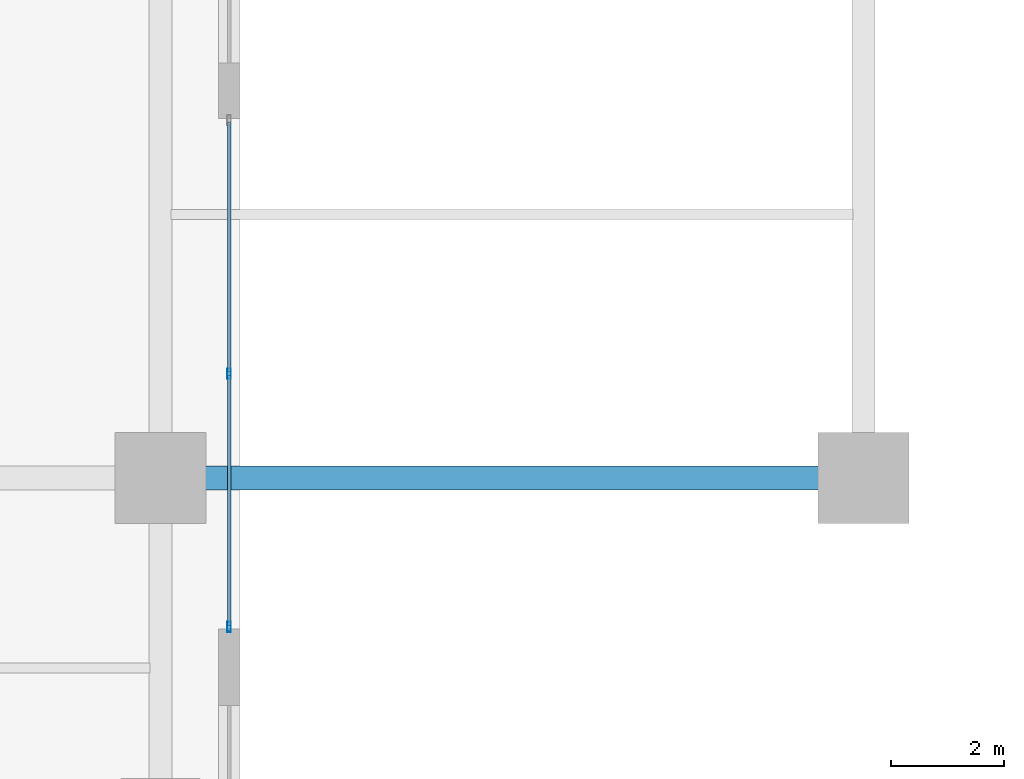
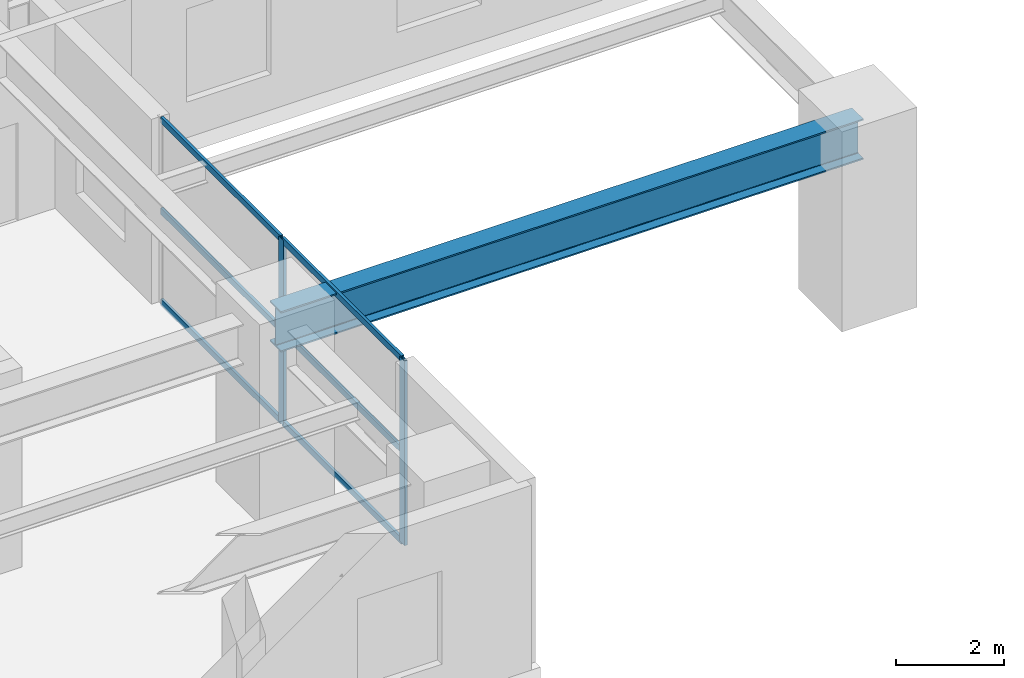
# One storey, part 2 of 26: 8 members, 1 beam, 1 element without a shape of its own.
"""IFC4 building model written with IfcOpenShell, lengths in metres."""

from ifc_helpers import new_model, si_unit, direction, frame, origin, origin_2d, place, context, subcontext, project, spatial, hollow_rectangle, i_section, extrude, source, transform, mapped, material, layer, layer_set, material_profile, profile_set, type_object, element, aggregate, save


model = new_model("IFC4")

# Units and contexts
model_context = context("Model", 3, precision=1e-05, world=origin(), true_north=direction((0.0, 1.0)))
body_context = subcontext(model_context, "Body", "Model", "MODEL_VIEW")
ifc_project = project(units=[si_unit("LENGTHUNIT", "METRE"), si_unit("AREAUNIT", "SQUARE_METRE"), si_unit("VOLUMEUNIT", "CUBIC_METRE"), si_unit("PLANEANGLEUNIT", "RADIAN"), si_unit("MASSUNIT", "GRAM", prefix="KILO")], contexts=[model_context])

# Site, building, storey
site_placement = place(None, origin())
site = spatial("IfcSite", under=ifc_project, at=site_placement, CompositionType="ELEMENT")
building_placement = place(site_placement, origin())
building = spatial("IfcBuilding", under=site, at=building_placement, Name="Khoralis Quay Care Tower", CompositionType="ELEMENT")
storey_placement = place(building_placement, frame((0.0, 0.0, 4.5)))
storey = spatial("IfcBuildingStorey", under=building, at=storey_placement, Name="L01", CompositionType="ELEMENT", Elevation=4.5)

# Beam
ifc_material_1 = material(Name="Steel S355", Category="steel")
ifc_material_profile_1 = material_profile(ifc_material_1, i_section(OverallWidth=0.41796875, OverallDepth=0.912109375, WebThickness=0.019287109375, FlangeThickness=0.031982421875, FilletRadius=0.02392578125, at=origin_2d()), Name="Steel S355")
ifc_profile_set_1 = profile_set([ifc_material_profile_1], Name="Steel S355")
beam_type = type_object("IfcBeamType", Name="BM-W920X342", PredefinedType="BEAM", material=ifc_profile_set_1)
shared_shape_1 = source(origin(), body_context, "Body", "SweptSolid", [
    extrude(i_section(OverallWidth=0.41796875, OverallDepth=0.912109375, WebThickness=0.019287109375, FlangeThickness=0.031982421875, FilletRadius=0.02392578125, at=origin_2d()), origin(), (0.0, 0.0, 1.0), 12.39990234375),
])
beam_placement = place(storey_placement, frame((34.60009765625, 1.35009765625, 3.7041015625), z_axis=(1.0, 0.0, 0.0), x_axis=(0.0, 1.0, 0.0)))
element("IfcBeam", 1, at=beam_placement, inside=storey, type_object=beam_type, Name="BM-PODX-L01-07", PredefinedType="BEAM", context=body_context, shape_type="MappedRepresentation", body=[
    mapped(shared_shape_1, transform((0.0, 0.0, 0.0), scale=1.0)),
])

# Curtain wall, members
ifc_material_2 = material(Name="Pale anodised aluminium", Category="aluminium")
ifc_layer = layer(ifc_material_2, 0.179931640625)
ifc_layer_set = layer_set([ifc_layer], Name="Pale anodised aluminium")
curtain_wall_type = type_object("IfcCurtainWallType", Name="CW-SYS-Z1", PredefinedType="NOTDEFINED", material=ifc_layer_set)
curtain_wall_placement = place(storey_placement, origin())
curtain_wall = element("IfcCurtainWall", 2, at=curtain_wall_placement, inside=storey, type_object=curtain_wall_type, Name="L01 Unitised Curtain Wall CW-POD-L01-E1", PredefinedType="NOTDEFINED")
ifc_material_profile_2 = material_profile(ifc_material_2, hollow_rectangle(XDim=0.06494140625, YDim=0.179931640625, WallThickness=0.00390625, at=origin_2d()), Name="Pale anodised aluminium")
ifc_profile_set_2 = profile_set([ifc_material_profile_2], Name="Pale anodised aluminium")
member_type_1 = type_object("IfcMemberType", Name="CW-MUL-180", PredefinedType="MULLION", material=ifc_profile_set_2)
shared_shape_2 = source(origin(), body_context, "Body", "SweptSolid", [
    extrude(hollow_rectangle(XDim=0.06494140625, YDim=0.179931640625, WallThickness=0.00390625, at=origin_2d()), origin(), (0.0, 0.0, 1.0), 4.159912109375),
])
member_1_placement = place(storey_placement, frame((35.81005859375, -1.280029296875, 0.0), z_axis=(0.0, 0.0, 1.0), x_axis=(-1.0, 0.0, 0.0)))
member_1 = element("IfcMember", 3, at=member_1_placement, type_object=member_type_1, Name="CW1 mullion 1", PredefinedType="MULLION", context=body_context, shape_type="MappedRepresentation", body=[
    mapped(shared_shape_2, transform((0.0, 0.0, 0.0), scale=1.0)),
])
member_2_placement = place(storey_placement, frame((35.81005859375, 3.18994140625, 0.0), z_axis=(0.0, 0.0, 1.0), x_axis=(-1.0, 0.0, 0.0)))
member_2 = element("IfcMember", 4, at=member_2_placement, type_object=member_type_1, Name="CW1 mullion 2", PredefinedType="MULLION", context=body_context, shape_type="MappedRepresentation", body=[
    mapped(shared_shape_2, transform((0.0, 0.0, 0.0), scale=1.0)),
])
ifc_material_profile_3 = material_profile(ifc_material_2, hollow_rectangle(XDim=0.06005859375, YDim=0.139892578125, WallThickness=0.00390625, at=origin_2d()), Name="Pale anodised aluminium")
ifc_profile_set_3 = profile_set([ifc_material_profile_3], Name="Pale anodised aluminium")
member_type_2 = type_object("IfcMemberType", Name="CW-TRN-140", PredefinedType="USERDEFINED", material=ifc_profile_set_3)
shared_shape_3 = source(origin(), body_context, "Body", "SweptSolid", [
    extrude(hollow_rectangle(XDim=0.06005859375, YDim=0.139892578125, WallThickness=0.00390625, at=origin_2d()), origin(), (0.0, 0.0, 1.0), 4.409912109375),
])
member_3_placement = place(storey_placement, frame((35.81005859375, -1.25, 0.030029296875), z_axis=(0.0, 1.0, 0.0), x_axis=(-1.0, 0.0, 0.0)))
member_3 = element("IfcMember", 5, at=member_3_placement, type_object=member_type_2, Name="CW1 transom 1.1", ObjectType="TRANSOM", PredefinedType="USERDEFINED", context=body_context, shape_type="MappedRepresentation", body=[
    mapped(shared_shape_3, transform((0.0, 0.0, 0.0), scale=1.0)),
])
member_4_placement = place(storey_placement, frame((35.81005859375, -1.25, 2.080078125), z_axis=(0.0, 1.0, 0.0), x_axis=(-1.0, 0.0, 0.0)))
member_4 = element("IfcMember", 6, at=member_4_placement, type_object=member_type_2, Name="CW1 transom 1.2", ObjectType="TRANSOM", PredefinedType="USERDEFINED", context=body_context, shape_type="MappedRepresentation", body=[
    mapped(shared_shape_3, transform((0.0, 0.0, 0.0), scale=1.0)),
])
member_5_placement = place(storey_placement, frame((35.81005859375, -1.25, 4.1298828125), z_axis=(0.0, 1.0, 0.0), x_axis=(-1.0, 0.0, 0.0)))
member_5 = element("IfcMember", 7, at=member_5_placement, type_object=member_type_2, Name="CW1 transom 1.3", ObjectType="TRANSOM", PredefinedType="USERDEFINED", context=body_context, shape_type="MappedRepresentation", body=[
    mapped(shared_shape_3, transform((0.0, 0.0, 0.0), scale=1.0)),
])
member_6_placement = place(storey_placement, frame((35.81005859375, 3.219970703125, 0.030029296875), z_axis=(0.0, 1.0, 0.0), x_axis=(-1.0, 0.0, 0.0)))
member_6 = element("IfcMember", 8, at=member_6_placement, type_object=member_type_2, Name="CW1 transom 2.1", ObjectType="TRANSOM", PredefinedType="USERDEFINED", context=body_context, shape_type="MappedRepresentation", body=[
    mapped(shared_shape_3, transform((0.0, 0.0, 0.0), scale=1.0)),
])
member_7_placement = place(storey_placement, frame((35.81005859375, 3.219970703125, 2.080078125), z_axis=(0.0, 1.0, 0.0), x_axis=(-1.0, 0.0, 0.0)))
member_7 = element("IfcMember", 9, at=member_7_placement, type_object=member_type_2, Name="CW1 transom 2.2", ObjectType="TRANSOM", PredefinedType="USERDEFINED", context=body_context, shape_type="MappedRepresentation", body=[
    mapped(shared_shape_3, transform((0.0, 0.0, 0.0), scale=1.0)),
])
member_8_placement = place(storey_placement, frame((35.81005859375, 3.219970703125, 4.1298828125), z_axis=(0.0, 1.0, 0.0), x_axis=(-1.0, 0.0, 0.0)))
member_8 = element("IfcMember", 10, at=member_8_placement, type_object=member_type_2, Name="CW1 transom 2.3", ObjectType="TRANSOM", PredefinedType="USERDEFINED", context=body_context, shape_type="MappedRepresentation", body=[
    mapped(shared_shape_3, transform((0.0, 0.0, 0.0), scale=1.0)),
])
aggregate(curtain_wall, [member_1, member_2, member_3, member_4, member_5, member_6, member_7, member_8])

save(model, "model.ifc")
